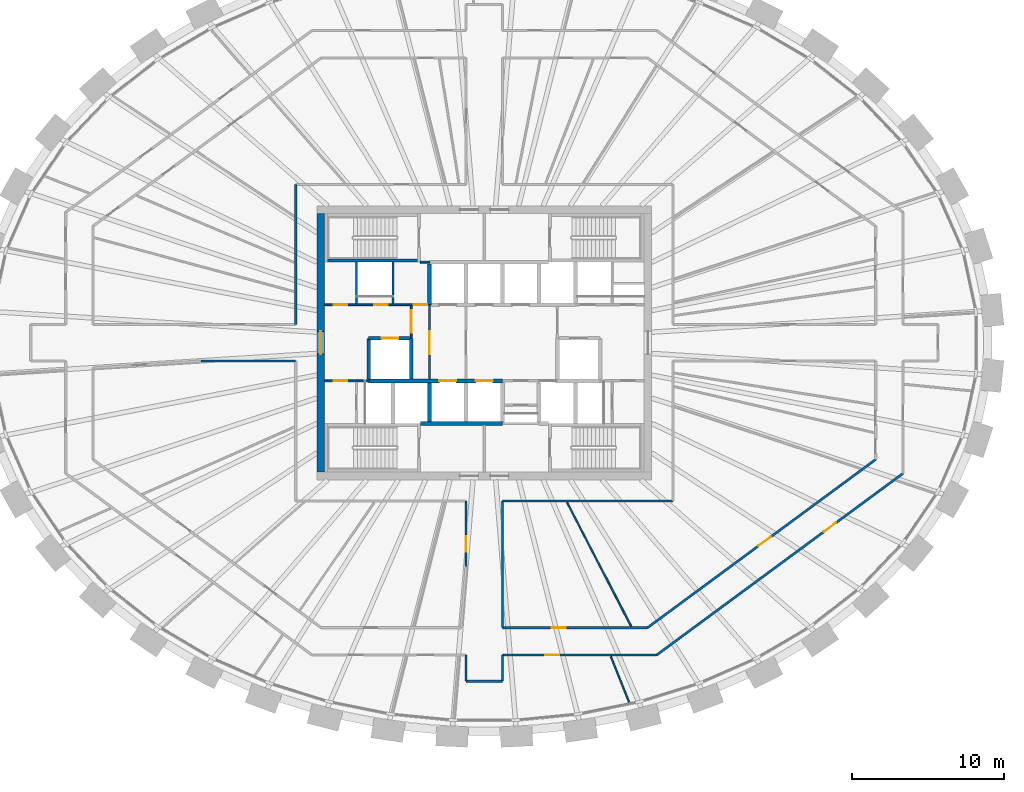
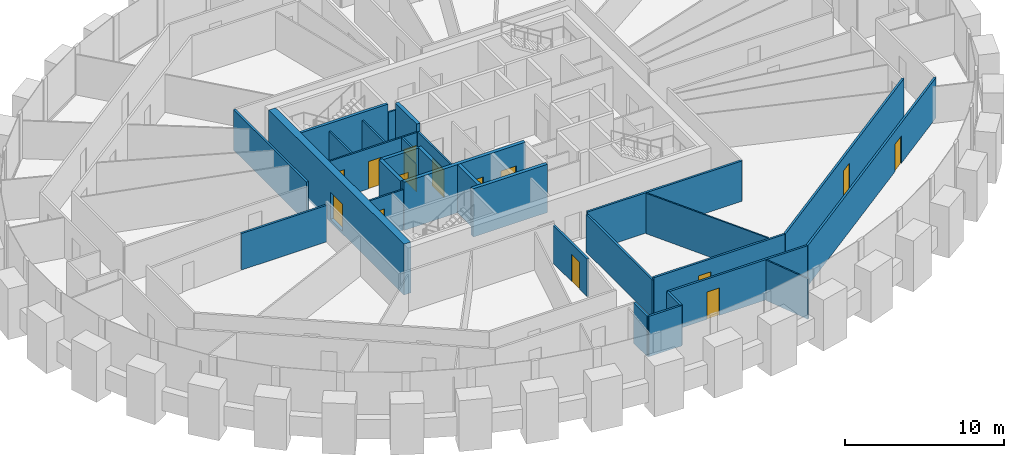
# One storey, part 7 of 12: 30 walls, 15 doors, 15 openings.
"""IFC4 building model written with IfcOpenShell, lengths in metres."""

from ifc_helpers import new_model, si_unit, direction, frame, frame_2d, origin, place, context, subcontext, project, spatial, rectangle, extrude, source, transform, mapped, material, layer, layer_set, type_object, element, fill, save


model = new_model("IFC4")

# Units and contexts
model_context = context("Model", 3, precision=1e-05, world=origin(), true_north=direction((0.0, 1.0)))
body_context = subcontext(model_context, "Body", "Model", "MODEL_VIEW")
ifc_project = project(units=[si_unit("LENGTHUNIT", "METRE"), si_unit("AREAUNIT", "SQUARE_METRE"), si_unit("VOLUMEUNIT", "CUBIC_METRE"), si_unit("PLANEANGLEUNIT", "RADIAN"), si_unit("MASSUNIT", "GRAM", prefix="KILO")], contexts=[model_context])

# Site, building, storey
site_placement = place(None, origin())
site = spatial("IfcSite", under=ifc_project, at=site_placement, CompositionType="ELEMENT")
building_placement = place(site_placement, origin())
building = spatial("IfcBuilding", under=site, at=building_placement, Name="Embergate Tower", CompositionType="ELEMENT")
storey_placement = place(building_placement, frame((0.0, 0.0, 250.0)))
storey = spatial("IfcBuildingStorey", under=building, at=storey_placement, Name="L57", CompositionType="ELEMENT", Elevation=250.0)

# Wall, opening, door
ifc_material_1 = material(Name="Concrete C50", Category="concrete")
ifc_layer_1 = layer(ifc_material_1, 0.5)
ifc_layer_set_1 = layer_set([ifc_layer_1], Name="Concrete C50")
wall_type_1 = type_object("IfcWallType", Name="Core outer wall C50 500", PredefinedType="SHEAR", material=ifc_layer_set_1)
shared_shape_1 = source(origin(), body_context, "Body", "SweptSolid", [
    extrude(rectangle(XDim=17.0, YDim=0.5, at=frame_2d((8.5, 0.0))), origin(), (0.0, 0.0, 1.0), 3.89990234375),
])
wall_1_placement = place(storey_placement, frame((-10.75, -8.5, -0.199951171875), z_axis=(0.0, 0.0, 1.0), x_axis=(0.0, 1.0, 0.0)))
wall_1 = element("IfcWall", 1, at=wall_1_placement, inside=storey, type_object=wall_type_1, Name="CW-L57-W", PredefinedType="SHEAR", context=body_context, shape_type="MappedRepresentation", body=[
    mapped(shared_shape_1, transform((0.0, 0.0, 0.0))),
])
shared_shape_2 = source(origin(), body_context, "Body", "SweptSolid", [
    extrude(rectangle(XDim=1.5, YDim=2.10009765625, at=frame_2d((0.75, 1.050048828125))), frame((0.0, 0.260009765625, 0.0), z_axis=(0.0, -1.0, 0.0), x_axis=(1.0, 0.0, 0.0)), (0.0, 0.0, 1.0), 0.52001953125),
])
opening_1_placement = place(wall_1_placement, frame((7.75, 0.0, 0.199951171875)))
opening_1 = element("IfcOpeningElement", 2, at=opening_1_placement, cuts=wall_1, Name="Opening IF-3", PredefinedType="OPENING", context=body_context, shape_type="MappedRepresentation", body=[
    mapped(shared_shape_2, transform((0.0, 0.0, 0.0))),
])
ifc_material_2 = material(Name="Lobby fire door pair 1500")
door_type_1 = type_object("IfcDoorType", Name="Lobby fire door pair 1500", OperationType="DOUBLE_DOOR_SINGLE_SWING", PredefinedType="DOOR", material=ifc_material_2)
shared_shape_3 = source(origin(), body_context, "Body", "SweptSolid", [
    extrude(rectangle(XDim=1.5, YDim=2.10009765625, at=frame_2d((0.75, 1.050048828125))), frame((0.0, 0.02490234375, 0.0), z_axis=(0.0, -1.0, 0.0), x_axis=(1.0, 0.0, 0.0)), (0.0, 0.0, 1.0), 0.050048828125),
])
door_1_placement = place(opening_1_placement, origin())
door_1 = element("IfcDoor", 3, at=door_1_placement, inside=storey, type_object=door_type_1, Name="IF-3 door", OperationType="DOUBLE_DOOR_SINGLE_SWING", OverallHeight=2.10009765625, OverallWidth=1.5, PredefinedType="DOOR", context=body_context, shape_type="MappedRepresentation", body=[
    mapped(shared_shape_3, transform((0.0, 0.0, 0.0))),
])
fill(opening_1, door_1)

# Walls
ifc_layer_2 = layer(ifc_material_1, 0.25)
ifc_layer_set_2 = layer_set([ifc_layer_2], Name="Concrete C50")
wall_type_2 = type_object("IfcWallType", Name="Hoistway wall reinforced concrete 250", PredefinedType="SHEAR", material=ifc_layer_set_2)
shared_shape_4 = source(origin(), body_context, "Body", "SweptSolid", [
    extrude(rectangle(XDim=2.675048828125, YDim=0.25, at=frame_2d((1.33740234375, 0.0))), origin(), (0.0, 0.0, 1.0), 3.699951171875),
])
for number, where, z_axis, x_axis, name in (
    (4, (-3.60009765625, 5.175048828125, 0.0), (0.0, 0.0, 1.0), (0.0, -1.0, 0.0), "HW-1 wall"),
    (5, (-4.800048828125, 0.300048828125, 0.0), (0.0, 0.0, 1.0), (0.0, -1.0, 0.0), "HW-1 wall"),
):
    element("IfcWall", number, at=place(storey_placement, frame(where, z_axis=z_axis, x_axis=x_axis)), inside=storey, type_object=wall_type_2, Name=name, PredefinedType="SHEAR", context=body_context, shape_type="MappedRepresentation", body=[
        mapped(shared_shape_4, transform((0.0, 0.0, 0.0))),
    ])

# Wall, opening, door
wall_2_placement = place(storey_placement, frame((-4.925048828125, 0.300048828125, 0.0), z_axis=(0.0, 0.0, 1.0), x_axis=(-1.0, 0.0, 0.0)))
wall_2 = element("IfcWall", 6, at=wall_2_placement, inside=storey, type_object=wall_type_2, Name="HW-1 wall", PredefinedType="SHEAR", context=body_context, shape_type="MappedRepresentation", body=[
    mapped(shared_shape_4, transform((0.0, 0.0, 0.0))),
])
shared_shape_5 = source(origin(), body_context, "Body", "SweptSolid", [
    extrude(rectangle(XDim=1.10009765625, YDim=2.10009765625, at=frame_2d((0.550048828125, 1.050048828125))), frame((0.0, 0.135009765625, 0.0), z_axis=(0.0, -1.0, 0.0), x_axis=(1.0, 0.0, 0.0)), (0.0, 0.0, 1.0), 0.27001953125),
])
opening_2_placement = place(wall_2_placement, frame((0.72509765625, 0.0, 0.0)))
opening_2 = element("IfcOpeningElement", 7, at=opening_2_placement, cuts=wall_2, Name="Opening LD", PredefinedType="OPENING", context=body_context, shape_type="MappedRepresentation", body=[
    mapped(shared_shape_5, transform((0.0, 0.0, 0.0))),
])
ifc_material_3 = material(Name="Landing door sliding 1100")
door_type_2 = type_object("IfcDoorType", Name="Landing door sliding 1100", OperationType="SLIDING_TO_LEFT", PredefinedType="DOOR", material=ifc_material_3)
shared_shape_6 = source(origin(), body_context, "Body", "SweptSolid", [
    extrude(rectangle(XDim=1.10009765625, YDim=2.10009765625, at=frame_2d((0.550048828125, 1.050048828125))), frame((0.0, 0.02490234375, 0.0), z_axis=(0.0, -1.0, 0.0), x_axis=(1.0, 0.0, 0.0)), (0.0, 0.0, 1.0), 0.050048828125),
])
door_2_placement = place(opening_2_placement, origin())
door_2 = element("IfcDoor", 8, at=door_2_placement, inside=storey, type_object=door_type_2, Name="LD door", OperationType="SLIDING_TO_RIGHT", OverallHeight=2.10009765625, OverallWidth=1.10009765625, PredefinedType="DOOR", context=body_context, shape_type="MappedRepresentation", body=[
    mapped(shared_shape_6, transform((0.0, 0.0, 0.0))),
])
fill(opening_2, door_2)

# Walls
wall_3_placement = place(storey_placement, frame((-7.60009765625, 0.300048828125, 0.0), z_axis=(0.0, 0.0, 1.0), x_axis=(0.0, -1.0, 0.0)))
element("IfcWall", 9, at=wall_3_placement, inside=storey, type_object=wall_type_2, Name="HW-1 wall", PredefinedType="SHEAR", context=body_context, shape_type="MappedRepresentation", body=[
    mapped(shared_shape_4, transform((0.0, 0.0, 0.0))),
])
ifc_layer_3 = layer(ifc_material_1, 0.199951171875)
ifc_layer_set_3 = layer_set([ifc_layer_3], Name="Concrete C50")
wall_type_3 = type_object("IfcWallType", Name="Stair enclosure wall reinforced concrete 250", PredefinedType="SHEAR", material=ifc_layer_set_3)
shared_shape_7 = source(origin(), body_context, "Body", "SweptSolid", [
    extrude(rectangle(XDim=6.300048828125, YDim=0.199951171875, at=frame_2d((3.14990234375, 0.0))), origin(), (0.0, 0.0, 1.0), 3.699951171875),
])
wall_4_placement = place(storey_placement, frame((-4.199951171875, 5.39990234375, 0.0), z_axis=(0.0, 0.0, 1.0), x_axis=(-1.0, 0.0, 0.0)))
element("IfcWall", 10, at=wall_4_placement, inside=storey, type_object=wall_type_3, Name="SE-1 wall", PredefinedType="SHEAR", context=body_context, shape_type="MappedRepresentation", body=[
    mapped(shared_shape_7, transform((0.0, 0.0, 0.0))),
])
ifc_material_4 = material(Name="Core partition blockwork 120")
ifc_layer_4 = layer(ifc_material_4, 0.1201171875)
ifc_layer_set_4 = layer_set([ifc_layer_4], Name="Core partition blockwork 120")
wall_type_4 = type_object("IfcWallType", Name="Core partition blockwork 120", PredefinedType="PARTITIONING", material=ifc_layer_set_4)
shared_shape_8 = source(origin(), body_context, "Body", "SweptSolid", [
    extrude(rectangle(XDim=2.739990234375, YDim=0.1201171875, at=frame_2d((1.3701171875, 0.0))), origin(), (0.0, 0.0, 1.0), 3.10009765625),
])
for number, where, z_axis, x_axis, name in (
    (11, (-6.0, 2.56005859375, 0.0), (0.0, 0.0, 1.0), (0.0, 1.0, 0.0), "IP-3 wall"),
    (12, (-8.39990234375, 5.300048828125, 0.0), (0.0, 0.0, 1.0), (0.0, -1.0, 0.0), "IP-3 wall"),
):
    element("IfcWall", number, at=place(storey_placement, frame(where, z_axis=z_axis, x_axis=x_axis)), inside=storey, type_object=wall_type_4, Name=name, PredefinedType="PARTITIONING", context=body_context, shape_type="MappedRepresentation", body=[
        mapped(shared_shape_8, transform((0.0, 0.0, 0.0))),
    ])
shared_shape_9 = source(origin(), body_context, "Body", "SweptSolid", [
    extrude(rectangle(XDim=2.550048828125, YDim=0.25, at=frame_2d((1.27490234375, 0.0))), origin(), (0.0, 0.0, 1.0), 3.699951171875),
])
wall_5_placement = place(storey_placement, frame((-3.60009765625, -5.175048828125, 0.0), z_axis=(0.0, 0.0, 1.0), x_axis=(0.0, 1.0, 0.0)))
element("IfcWall", 13, at=wall_5_placement, inside=storey, type_object=wall_type_2, Name="HW-1 wall", PredefinedType="SHEAR", context=body_context, shape_type="MappedRepresentation", body=[
    mapped(shared_shape_9, transform((0.0, 0.0, 0.0))),
])

# Wall, opening, door
ifc_material_5 = material(Name="Corridor wall dry-lined 150")
ifc_layer_5 = layer(ifc_material_5, 0.14990234375)
ifc_layer_set_5 = layer_set([ifc_layer_5], Name="Corridor wall dry-lined 150")
wall_type_5 = type_object("IfcWallType", Name="Corridor wall dry-lined 150", PredefinedType="PARTITIONING", material=ifc_layer_set_5)
shared_shape_10 = source(origin(), body_context, "Body", "SweptSolid", [
    extrude(rectangle(XDim=4.28515625, YDim=0.14990234375, at=frame_2d((2.142578125, 0.0))), origin(), (0.0, 0.0, 1.0), 2.89990234375),
])
wall_6_placement = place(storey_placement, frame((-1.199951171875, -10.39990234375, 0.0), z_axis=(0.0, 0.0, 1.0), x_axis=(0.0, -1.0, 0.0)))
wall_6 = element("IfcWall", 14, at=wall_6_placement, inside=storey, type_object=wall_type_5, Name="IP-2 wall", PredefinedType="PARTITIONING", context=body_context, shape_type="MappedRepresentation", body=[
    mapped(shared_shape_10, transform((0.0, 0.0, 0.0))),
])
shared_shape_11 = source(origin(), body_context, "Body", "SweptSolid", [
    extrude(rectangle(XDim=1.0, YDim=2.10009765625, at=frame_2d((0.5, 1.050048828125))), frame((0.0, 0.0849609375, 0.0), z_axis=(0.0, -1.0, 0.0), x_axis=(1.0, 0.0, 0.0)), (0.0, 0.0, 1.0), 0.169921875),
])
opening_3_placement = place(wall_6_placement, frame((2.320068359375, 0.0, 0.0)))
opening_3 = element("IfcOpeningElement", 15, at=opening_3_placement, cuts=wall_6, Name="Opening ID-2", PredefinedType="OPENING", context=body_context, shape_type="MappedRepresentation", body=[
    mapped(shared_shape_11, transform((0.0, 0.0, 0.0))),
])
ifc_material_6 = material(Name="Interior door 1000")
door_type_3 = type_object("IfcDoorType", Name="Interior door 1000", OperationType="SINGLE_SWING_LEFT", PredefinedType="DOOR", material=ifc_material_6)
shared_shape_12 = source(origin(), body_context, "Body", "SweptSolid", [
    extrude(rectangle(XDim=1.0, YDim=2.10009765625, at=frame_2d((0.5, 1.050048828125))), frame((0.0, 0.02490234375, 0.0), z_axis=(0.0, -1.0, 0.0), x_axis=(1.0, 0.0, 0.0)), (0.0, 0.0, 1.0), 0.050048828125),
])
door_3_placement = place(opening_3_placement, origin())
door_3 = element("IfcDoor", 16, at=door_3_placement, inside=storey, type_object=door_type_3, Name="ID-2 door", OperationType="SINGLE_SWING_LEFT", OverallHeight=2.10009765625, OverallWidth=1.0, PredefinedType="DOOR", context=body_context, shape_type="MappedRepresentation", body=[
    mapped(shared_shape_12, transform((0.0, 0.0, 0.0))),
])
fill(opening_3, door_3)

# Wall
shared_shape_13 = source(origin(), body_context, "Body", "SweptSolid", [
    extrude(rectangle(XDim=8.318115234375, YDim=0.14990234375, at=frame_2d((4.1591796875, 0.0))), origin(), (0.0, 0.0, 1.0), 2.89990234375),
])
wall_7_placement = place(storey_placement, frame((1.199951171875, -10.39990234375, 0.0), z_axis=(0.0, 0.0, 1.0), x_axis=(0.0, -1.0, 0.0)))
element("IfcWall", 17, at=wall_7_placement, inside=storey, type_object=wall_type_5, Name="IP-2 wall", PredefinedType="PARTITIONING", context=body_context, shape_type="MappedRepresentation", body=[
    mapped(shared_shape_13, transform((0.0, 0.0, 0.0))),
])

# Wall, openings, doors
shared_shape_14 = source(origin(), body_context, "Body", "SweptSolid", [
    extrude(rectangle(XDim=8.800048828125, YDim=0.25, at=frame_2d((4.39990234375, 0.0))), origin(), (0.0, 0.0, 1.0), 3.699951171875),
])
wall_8_placement = place(storey_placement, frame((1.199951171875, -2.5, 0.0), z_axis=(0.0, 0.0, 1.0), x_axis=(-1.0, 0.0, 0.0)))
wall_8 = element("IfcWall", 18, at=wall_8_placement, inside=storey, type_object=wall_type_2, Name="HW-1 wall", PredefinedType="SHEAR", context=body_context, shape_type="MappedRepresentation", body=[
    mapped(shared_shape_14, transform((0.0, 0.0, 0.0))),
])
opening_4_placement = place(wall_8_placement, frame((3.050048828125, 0.0, 0.0)))
opening_4 = element("IfcOpeningElement", 19, at=opening_4_placement, cuts=wall_8, Name="Opening LD", PredefinedType="OPENING", context=body_context, shape_type="MappedRepresentation", body=[
    mapped(shared_shape_5, transform((0.0, 0.0, 0.0))),
])
opening_5_placement = place(wall_8_placement, frame((0.64990234375, 0.0, 0.0)))
opening_5 = element("IfcOpeningElement", 20, at=opening_5_placement, cuts=wall_8, Name="Opening LD", PredefinedType="OPENING", context=body_context, shape_type="MappedRepresentation", body=[
    mapped(shared_shape_5, transform((0.0, 0.0, 0.0))),
])
door_4_placement = place(opening_4_placement, origin())
door_4 = element("IfcDoor", 21, at=door_4_placement, inside=storey, type_object=door_type_2, Name="LD door", OperationType="SLIDING_TO_LEFT", OverallHeight=2.10009765625, OverallWidth=1.10009765625, PredefinedType="DOOR", context=body_context, shape_type="MappedRepresentation", body=[
    mapped(shared_shape_6, transform((0.0, 0.0, 0.0))),
])
fill(opening_4, door_4)
door_5_placement = place(opening_5_placement, origin())
door_5 = element("IfcDoor", 22, at=door_5_placement, inside=storey, type_object=door_type_2, Name="LD door", OperationType="SLIDING_TO_RIGHT", OverallHeight=2.10009765625, OverallWidth=1.10009765625, PredefinedType="DOOR", context=body_context, shape_type="MappedRepresentation", body=[
    mapped(shared_shape_6, transform((0.0, 0.0, 0.0))),
])
fill(opening_5, door_5)

# Wall
shared_shape_15 = source(origin(), body_context, "Body", "SweptSolid", [
    extrude(rectangle(XDim=5.39990234375, YDim=0.25, at=frame_2d((2.699951171875, 0.0))), origin(), (0.0, 0.0, 1.0), 3.699951171875),
])
wall_9_placement = place(storey_placement, frame((-4.199951171875, -5.300048828125, 0.0), z_axis=(0.0, 0.0, 1.0), x_axis=(1.0, 0.0, 0.0)))
element("IfcWall", 23, at=wall_9_placement, inside=storey, type_object=wall_type_2, Name="HW-1 wall", PredefinedType="SHEAR", context=body_context, shape_type="MappedRepresentation", body=[
    mapped(shared_shape_15, transform((0.0, 0.0, 0.0))),
])

# Wall, opening, door
shared_shape_16 = source(origin(), body_context, "Body", "SweptSolid", [
    extrude(rectangle(XDim=20.116455078125, YDim=0.14990234375, at=frame_2d((10.05810546875, 0.0))), origin(), (0.0, 0.0, 1.0), 3.10009765625),
])
wall_10_placement = place(storey_placement, frame((11.319091796875, -20.51806640625, 0.0), z_axis=(0.0, 0.0, 1.0), x_axis=(0.804910001979, 0.593396906559, 0.0)))
wall_10 = element("IfcWall", 24, at=wall_10_placement, inside=storey, type_object=wall_type_5, Name="IP-2 wall", PredefinedType="PARTITIONING", context=body_context, shape_type="MappedRepresentation", body=[
    mapped(shared_shape_16, transform((0.0, 0.0, 0.0))),
])
opening_6_placement = place(wall_10_placement, frame((13.658447265625, 0.0, 0.0)))
opening_6 = element("IfcOpeningElement", 25, at=opening_6_placement, cuts=wall_10, Name="Opening ID-2", PredefinedType="OPENING", context=body_context, shape_type="MappedRepresentation", body=[
    mapped(shared_shape_11, transform((0.0, 0.0, 0.0))),
])
door_6_placement = place(opening_6_placement, origin())
door_6 = element("IfcDoor", 26, at=door_6_placement, inside=storey, type_object=door_type_3, Name="ID-2 door", OperationType="SINGLE_SWING_LEFT", OverallHeight=2.10009765625, OverallWidth=1.0, PredefinedType="DOOR", context=body_context, shape_type="MappedRepresentation", body=[
    mapped(shared_shape_12, transform((0.0, 0.0, 0.0))),
])
fill(opening_6, door_6)

shared_shape_17 = source(origin(), body_context, "Body", "SweptSolid", [
    extrude(rectangle(XDim=18.615966796875, YDim=0.14990234375, at=frame_2d((9.30810546875, 0.0))), origin(), (0.0, 0.0, 1.0), 3.10009765625),
])
wall_11_placement = place(storey_placement, frame((10.72705078125, -18.718017578125, 0.0), z_axis=(0.0, 0.0, 1.0), x_axis=(0.804892640185, 0.593420456149, 0.0)))
wall_11 = element("IfcWall", 27, at=wall_11_placement, inside=storey, type_object=wall_type_5, Name="IP-2 wall", PredefinedType="PARTITIONING", context=body_context, shape_type="MappedRepresentation", body=[
    mapped(shared_shape_17, transform((0.0, 0.0, 0.0))),
])
opening_7_placement = place(wall_11_placement, frame((9.0712890625, 0.0, 0.0)))
opening_7 = element("IfcOpeningElement", 28, at=opening_7_placement, cuts=wall_11, Name="Opening ID-2", PredefinedType="OPENING", context=body_context, shape_type="MappedRepresentation", body=[
    mapped(shared_shape_11, transform((0.0, 0.0, 0.0))),
])
door_7_placement = place(opening_7_placement, origin())
door_7 = element("IfcDoor", 29, at=door_7_placement, inside=storey, type_object=door_type_3, Name="ID-2 door", OperationType="SINGLE_SWING_RIGHT", OverallHeight=2.10009765625, OverallWidth=1.0, PredefinedType="DOOR", context=body_context, shape_type="MappedRepresentation", body=[
    mapped(shared_shape_12, transform((0.0, 0.0, 0.0))),
])
fill(opening_7, door_7)

# Walls
shared_shape_18 = source(origin(), body_context, "Body", "SweptSolid", [
    extrude(rectangle(XDim=6.22998046875, YDim=0.14990234375, at=frame_2d((3.114990234375, 0.0))), origin(), (0.0, 0.0, 1.0), 2.800048828125),
])
wall_12_placement = place(storey_placement, frame((-18.6298828125, -1.199951171875, 0.0), z_axis=(0.0, 0.0, 1.0), x_axis=(1.0, 0.0, 0.0)))
element("IfcWall", 30, at=wall_12_placement, inside=storey, type_object=wall_type_5, Name="IP-2 wall", PredefinedType="PARTITIONING", context=body_context, shape_type="MappedRepresentation", body=[
    mapped(shared_shape_18, transform((0.0, 0.0, 0.0))),
])
shared_shape_19 = source(origin(), body_context, "Body", "SweptSolid", [
    extrude(rectangle(XDim=9.199951171875, YDim=0.14990234375, at=frame_2d((4.60009765625, 0.0))), origin(), (0.0, 0.0, 1.0), 3.10009765625),
])
wall_13_placement = place(storey_placement, frame((-12.39990234375, 10.39990234375, 0.0), z_axis=(0.0, 0.0, 1.0), x_axis=(0.0, -1.0, 0.0)))
element("IfcWall", 31, at=wall_13_placement, inside=storey, type_object=wall_type_5, Name="IP-2 wall", PredefinedType="PARTITIONING", context=body_context, shape_type="MappedRepresentation", body=[
    mapped(shared_shape_19, transform((0.0, 0.0, 0.0))),
])
shared_shape_20 = source(origin(), body_context, "Body", "SweptSolid", [
    extrude(rectangle(XDim=11.199951171875, YDim=0.14990234375, at=frame_2d((5.60009765625, 0.0))), origin(), (0.0, 0.0, 1.0), 3.10009765625),
])
wall_14_placement = place(storey_placement, frame((12.39990234375, -10.39990234375, 0.0), z_axis=(0.0, 0.0, 1.0), x_axis=(-1.0, 0.0, 0.0)))
element("IfcWall", 32, at=wall_14_placement, inside=storey, type_object=wall_type_5, Name="IP-2 wall", PredefinedType="PARTITIONING", context=body_context, shape_type="MappedRepresentation", body=[
    mapped(shared_shape_20, transform((0.0, 0.0, 0.0))),
])

# Wall, opening, door
shared_shape_21 = source(origin(), body_context, "Body", "SweptSolid", [
    extrude(rectangle(XDim=10.119140625, YDim=0.14990234375, at=frame_2d((5.0595703125, 0.0))), origin(), (0.0, 0.0, 1.0), 3.10009765625),
])
wall_15_placement = place(storey_placement, frame((11.319091796875, -20.51806640625, 0.0), z_axis=(0.0, 0.0, 1.0), x_axis=(-1.0, 0.0, 0.0)))
wall_15 = element("IfcWall", 33, at=wall_15_placement, inside=storey, type_object=wall_type_5, Name="IP-2 wall", PredefinedType="PARTITIONING", context=body_context, shape_type="MappedRepresentation", body=[
    mapped(shared_shape_21, transform((0.0, 0.0, 0.0))),
])
shared_shape_22 = source(origin(), body_context, "Body", "SweptSolid", [
    extrude(rectangle(XDim=0.89990234375, YDim=2.10009765625, at=frame_2d((0.449951171875, 1.050048828125))), frame((0.0, 0.0849609375, 0.0), z_axis=(0.0, -1.0, 0.0), x_axis=(1.0, 0.0, 0.0)), (0.0, 0.0, 1.0), 0.169921875),
])
opening_8_placement = place(wall_15_placement, frame((6.41064453125, 0.0, 0.0)))
opening_8 = element("IfcOpeningElement", 34, at=opening_8_placement, cuts=wall_15, Name="Opening IF-1c", PredefinedType="OPENING", context=body_context, shape_type="MappedRepresentation", body=[
    mapped(shared_shape_22, transform((0.0, 0.0, 0.0))),
])
ifc_material_7 = material(Name="Escape fire door 900")
door_type_4 = type_object("IfcDoorType", Name="Escape fire door 900", OperationType="SINGLE_SWING_LEFT", PredefinedType="DOOR", material=ifc_material_7)
shared_shape_23 = source(origin(), body_context, "Body", "SweptSolid", [
    extrude(rectangle(XDim=0.89990234375, YDim=2.10009765625, at=frame_2d((0.449951171875, 1.050048828125))), frame((0.0, 0.02490234375, 0.0), z_axis=(0.0, -1.0, 0.0), x_axis=(1.0, 0.0, 0.0)), (0.0, 0.0, 1.0), 0.050048828125),
])
door_8_placement = place(opening_8_placement, origin())
door_8 = element("IfcDoor", 35, at=door_8_placement, inside=storey, type_object=door_type_4, Name="IF-1 door", OperationType="SINGLE_SWING_LEFT", OverallHeight=2.10009765625, OverallWidth=0.89990234375, PredefinedType="DOOR", context=body_context, shape_type="MappedRepresentation", body=[
    mapped(shared_shape_23, transform((0.0, 0.0, 0.0))),
])
fill(opening_8, door_8)

# Walls
shared_shape_24 = source(origin(), body_context, "Body", "SweptSolid", [
    extrude(rectangle(XDim=1.7158203125, YDim=0.14990234375, at=frame_2d((0.85791015625, 0.0))), origin(), (0.0, 0.0, 1.0), 3.10009765625),
])
for number, where, z_axis, x_axis, name in (
    (36, (1.199951171875, -20.51806640625, 0.0), (0.0, 0.0, 1.0), (0.0, -1.0, 0.0), "IP-2 wall"),
    (37, (-1.199951171875, -22.23388671875, 0.0), (0.0, 0.0, 1.0), (0.0, 1.0, 0.0), "IP-2 wall"),
):
    element("IfcWall", number, at=place(storey_placement, frame(where, z_axis=z_axis, x_axis=x_axis)), inside=storey, type_object=wall_type_5, Name=name, PredefinedType="PARTITIONING", context=body_context, shape_type="MappedRepresentation", body=[
        mapped(shared_shape_24, transform((0.0, 0.0, 0.0))),
    ])
shared_shape_25 = source(origin(), body_context, "Body", "SweptSolid", [
    extrude(rectangle(XDim=2.39990234375, YDim=0.14990234375, at=frame_2d((1.199951171875, 0.0))), origin(), (0.0, 0.0, 1.0), 3.10009765625),
])
wall_16_placement = place(storey_placement, frame((1.199951171875, -22.23388671875, 0.0), z_axis=(0.0, 0.0, 1.0), x_axis=(-1.0, 0.0, 0.0)))
element("IfcWall", 38, at=wall_16_placement, inside=storey, type_object=wall_type_5, Name="IP-2 wall", PredefinedType="PARTITIONING", context=body_context, shape_type="MappedRepresentation", body=[
    mapped(shared_shape_25, transform((0.0, 0.0, 0.0))),
])

# Wall, opening, door
shared_shape_26 = source(origin(), body_context, "Body", "SweptSolid", [
    extrude(rectangle(XDim=9.527099609375, YDim=0.14990234375, at=frame_2d((4.763671875, 0.0))), origin(), (0.0, 0.0, 1.0), 3.10009765625),
])
wall_17_placement = place(storey_placement, frame((1.199951171875, -18.718017578125, 0.0), z_axis=(0.0, 0.0, 1.0), x_axis=(1.0, 0.0, 0.0)))
wall_17 = element("IfcWall", 39, at=wall_17_placement, inside=storey, type_object=wall_type_5, Name="IP-2 wall", PredefinedType="PARTITIONING", context=body_context, shape_type="MappedRepresentation", body=[
    mapped(shared_shape_26, transform((0.0, 0.0, 0.0))),
])
opening_9_placement = place(wall_17_placement, frame((3.238037109375, 0.0, 0.0)))
opening_9 = element("IfcOpeningElement", 40, at=opening_9_placement, cuts=wall_17, Name="Opening IF-1c", PredefinedType="OPENING", context=body_context, shape_type="MappedRepresentation", body=[
    mapped(shared_shape_22, transform((0.0, 0.0, 0.0))),
])
door_9_placement = place(opening_9_placement, origin())
door_9 = element("IfcDoor", 41, at=door_9_placement, inside=storey, type_object=door_type_4, Name="IF-1 door", OperationType="SINGLE_SWING_LEFT", OverallHeight=2.10009765625, OverallWidth=0.89990234375, PredefinedType="DOOR", context=body_context, shape_type="MappedRepresentation", body=[
    mapped(shared_shape_23, transform((0.0, 0.0, 0.0))),
])
fill(opening_9, door_9)

# Walls
ifc_material_8 = material(Name="Partition dry-lined 100")
ifc_layer_6 = layer(ifc_material_8, 0.10009765625)
ifc_layer_set_6 = layer_set([ifc_layer_6], Name="Partition dry-lined 100")
wall_type_6 = type_object("IfcWallType", Name="Partition dry-lined 100", PredefinedType="PARTITIONING", material=ifc_layer_set_6)
shared_shape_27 = source(origin(), body_context, "Body", "SweptSolid", [
    extrude(rectangle(XDim=3.35302734375, YDim=0.10009765625, at=frame_2d((1.676513671875, 0.0))), origin(), (0.0, 0.0, 1.0), 3.10009765625),
])
wall_18_placement = place(storey_placement, frame((8.31005859375, -20.611083984375, 0.0), z_axis=(0.0, 0.0, 1.0), x_axis=(0.373950153388, -0.927448803321, 0.0)))
element("IfcWall", 42, at=wall_18_placement, inside=storey, type_object=wall_type_6, Name="IP-1 wall", PredefinedType="PARTITIONING", context=body_context, shape_type="MappedRepresentation", body=[
    mapped(shared_shape_27, transform((0.0, 0.0, 0.0))),
])
shared_shape_28 = source(origin(), body_context, "Body", "SweptSolid", [
    extrude(rectangle(XDim=9.14697265625, YDim=0.10009765625, at=frame_2d((4.573486328125, 0.0))), origin(), (0.0, 0.0, 1.0), 3.10009765625),
])
wall_19_placement = place(storey_placement, frame((5.43798828125, -10.498046875, 0.0), z_axis=(0.0, 0.0, 1.0), x_axis=(0.459936928951, -0.887951587299, 0.0)))
element("IfcWall", 43, at=wall_19_placement, inside=storey, type_object=wall_type_6, Name="IP-1 wall", PredefinedType="PARTITIONING", context=body_context, shape_type="MappedRepresentation", body=[
    mapped(shared_shape_28, transform((0.0, 0.0, 0.0))),
])

# Wall, openings, doors
shared_shape_29 = source(origin(), body_context, "Body", "SweptSolid", [
    extrude(rectangle(XDim=6.77490234375, YDim=0.1201171875, at=frame_2d((3.387451171875, 0.0))), origin(), (0.0, 0.0, 1.0), 3.10009765625),
])
wall_20_placement = place(storey_placement, frame((-10.5, 2.5, 0.0), z_axis=(0.0, 0.0, 1.0), x_axis=(1.0, 0.0, 0.0)))
wall_20 = element("IfcWall", 44, at=wall_20_placement, inside=storey, type_object=wall_type_4, Name="IP-3 wall", PredefinedType="PARTITIONING", context=body_context, shape_type="MappedRepresentation", body=[
    mapped(shared_shape_29, transform((0.0, 0.0, 0.0))),
])
shared_shape_30 = source(origin(), body_context, "Body", "SweptSolid", [
    extrude(rectangle(XDim=0.89990234375, YDim=2.10009765625, at=frame_2d((0.449951171875, 1.050048828125))), frame((0.0, 0.070068359375, 0.0), z_axis=(0.0, -1.0, 0.0), x_axis=(1.0, 0.0, 0.0)), (0.0, 0.0, 1.0), 0.14013671875),
])
opening_10_placement = place(wall_20_placement, frame((3.25, 0.0, 0.0)))
opening_10 = element("IfcOpeningElement", 45, at=opening_10_placement, cuts=wall_20, Name="Opening ID-1", PredefinedType="OPENING", context=body_context, shape_type="MappedRepresentation", body=[
    mapped(shared_shape_30, transform((0.0, 0.0, 0.0))),
])
opening_11_placement = place(wall_20_placement, frame((5.85009765625, 0.0, 0.0)))
opening_11 = element("IfcOpeningElement", 46, at=opening_11_placement, cuts=wall_20, Name="Opening ID-1", PredefinedType="OPENING", context=body_context, shape_type="MappedRepresentation", body=[
    mapped(shared_shape_30, transform((0.0, 0.0, 0.0))),
])
opening_12_placement = place(wall_20_placement, frame((0.60009765625, 0.0, 0.0)))
opening_12 = element("IfcOpeningElement", 47, at=opening_12_placement, cuts=wall_20, Name="Opening ID-1", PredefinedType="OPENING", context=body_context, shape_type="MappedRepresentation", body=[
    mapped(shared_shape_30, transform((0.0, 0.0, 0.0))),
])
ifc_material_9 = material(Name="Interior door 900")
door_type_5 = type_object("IfcDoorType", Name="Interior door 900", OperationType="SINGLE_SWING_LEFT", PredefinedType="DOOR", material=ifc_material_9)
door_10_placement = place(opening_10_placement, origin())
door_10 = element("IfcDoor", 48, at=door_10_placement, inside=storey, type_object=door_type_5, Name="ID-1 door", OperationType="SINGLE_SWING_LEFT", OverallHeight=2.10009765625, OverallWidth=0.89990234375, PredefinedType="DOOR", context=body_context, shape_type="MappedRepresentation", body=[
    mapped(shared_shape_23, transform((0.0, 0.0, 0.0))),
])
fill(opening_10, door_10)
door_11_placement = place(opening_11_placement, origin())
door_11 = element("IfcDoor", 49, at=door_11_placement, inside=storey, type_object=door_type_5, Name="ID-1 door", OperationType="SINGLE_SWING_RIGHT", OverallHeight=2.10009765625, OverallWidth=0.89990234375, PredefinedType="DOOR", context=body_context, shape_type="MappedRepresentation", body=[
    mapped(shared_shape_23, transform((0.0, 0.0, 0.0))),
])
fill(opening_11, door_11)
door_12_placement = place(opening_12_placement, origin())
door_12 = element("IfcDoor", 50, at=door_12_placement, inside=storey, type_object=door_type_5, Name="ID-1 door", OperationType="SINGLE_SWING_RIGHT", OverallHeight=2.10009765625, OverallWidth=0.89990234375, PredefinedType="DOOR", context=body_context, shape_type="MappedRepresentation", body=[
    mapped(shared_shape_23, transform((0.0, 0.0, 0.0))),
])
fill(opening_12, door_12)

# Wall, opening, door
shared_shape_31 = source(origin(), body_context, "Body", "SweptSolid", [
    extrude(rectangle(XDim=2.89990234375, YDim=0.1201171875, at=frame_2d((1.449951171875, 0.0))), origin(), (0.0, 0.0, 1.0), 3.10009765625),
])
wall_21_placement = place(storey_placement, frame((-7.60009765625, -2.5, 0.0), z_axis=(0.0, 0.0, 1.0), x_axis=(-1.0, 0.0, 0.0)))
wall_21 = element("IfcWall", 51, at=wall_21_placement, inside=storey, type_object=wall_type_4, Name="IP-3 wall", PredefinedType="PARTITIONING", context=body_context, shape_type="MappedRepresentation", body=[
    mapped(shared_shape_31, transform((0.0, 0.0, 0.0))),
])
opening_13_placement = place(wall_21_placement, frame((1.39990234375, 0.0, 0.0)))
opening_13 = element("IfcOpeningElement", 52, at=opening_13_placement, cuts=wall_21, Name="Opening ID-1", PredefinedType="OPENING", context=body_context, shape_type="MappedRepresentation", body=[
    mapped(shared_shape_30, transform((0.0, 0.0, 0.0))),
])
door_13_placement = place(opening_13_placement, origin())
door_13 = element("IfcDoor", 53, at=door_13_placement, inside=storey, type_object=door_type_5, Name="ID-1 door", OperationType="SINGLE_SWING_LEFT", OverallHeight=2.10009765625, OverallWidth=0.89990234375, PredefinedType="DOOR", context=body_context, shape_type="MappedRepresentation", body=[
    mapped(shared_shape_23, transform((0.0, 0.0, 0.0))),
])
fill(opening_13, door_13)

shared_shape_32 = source(origin(), body_context, "Body", "SweptSolid", [
    extrude(rectangle(XDim=4.875, YDim=0.1201171875, at=frame_2d((2.4375, 0.0))), origin(), (0.0, 0.0, 1.0), 3.10009765625),
])
wall_22_placement = place(storey_placement, frame((-3.60009765625, -2.375, 0.0), z_axis=(0.0, 0.0, 1.0), x_axis=(0.0, 1.0, 0.0)))
wall_22 = element("IfcWall", 54, at=wall_22_placement, inside=storey, type_object=wall_type_4, Name="IP-3 wall", PredefinedType="PARTITIONING", context=body_context, shape_type="MappedRepresentation", body=[
    mapped(shared_shape_32, transform((0.0, 0.0, 0.0))),
])
shared_shape_33 = source(origin(), body_context, "Body", "SweptSolid", [
    extrude(rectangle(XDim=1.5, YDim=2.10009765625, at=frame_2d((0.75, 1.050048828125))), frame((0.0, 0.070068359375, 0.0), z_axis=(0.0, -1.0, 0.0), x_axis=(1.0, 0.0, 0.0)), (0.0, 0.0, 1.0), 0.14013671875),
])
opening_14_placement = place(wall_22_placement, frame((1.625, 0.0, 0.0)))
opening_14 = element("IfcOpeningElement", 55, at=opening_14_placement, cuts=wall_22, Name="Opening IF-3", PredefinedType="OPENING", context=body_context, shape_type="MappedRepresentation", body=[
    mapped(shared_shape_33, transform((0.0, 0.0, 0.0))),
])
door_14_placement = place(opening_14_placement, origin())
door_14 = element("IfcDoor", 56, at=door_14_placement, inside=storey, type_object=door_type_1, Name="IF-3 door", OperationType="DOUBLE_DOOR_SINGLE_SWING", OverallHeight=2.10009765625, OverallWidth=1.5, PredefinedType="DOOR", context=body_context, shape_type="MappedRepresentation", body=[
    mapped(shared_shape_3, transform((0.0, 0.0, 0.0))),
])
fill(opening_14, door_14)

shared_shape_34 = source(origin(), body_context, "Body", "SweptSolid", [
    extrude(rectangle(XDim=2.139892578125, YDim=0.1201171875, at=frame_2d((1.06982421875, 0.0))), origin(), (0.0, 0.0, 1.0), 3.10009765625),
])
wall_23_placement = place(storey_placement, frame((-4.800048828125, 2.43994140625, 0.0), z_axis=(0.0, 0.0, 1.0), x_axis=(0.0, -1.0, 0.0)))
wall_23 = element("IfcWall", 57, at=wall_23_placement, inside=storey, type_object=wall_type_4, Name="IP-3 wall", PredefinedType="PARTITIONING", context=body_context, shape_type="MappedRepresentation", body=[
    mapped(shared_shape_34, transform((0.0, 0.0, 0.0))),
])
opening_15_placement = place(wall_23_placement, frame((0.2900390625, 0.0, 0.0)))
opening_15 = element("IfcOpeningElement", 58, at=opening_15_placement, cuts=wall_23, Name="Opening IF-3", PredefinedType="OPENING", context=body_context, shape_type="MappedRepresentation", body=[
    mapped(shared_shape_33, transform((0.0, 0.0, 0.0))),
])
door_15_placement = place(opening_15_placement, origin())
door_15 = element("IfcDoor", 59, at=door_15_placement, inside=storey, type_object=door_type_1, Name="IF-3 door", OperationType="DOUBLE_DOOR_SINGLE_SWING", OverallHeight=2.10009765625, OverallWidth=1.5, PredefinedType="DOOR", context=body_context, shape_type="MappedRepresentation", body=[
    mapped(shared_shape_3, transform((0.0, 0.0, 0.0))),
])
fill(opening_15, door_15)

# Wall
shared_shape_35 = source(origin(), body_context, "Body", "SweptSolid", [
    extrude(rectangle(XDim=0.599853515625, YDim=0.1201171875, at=frame_2d((0.2998046875, 0.0))), origin(), (0.0, 0.0, 1.0), 3.10009765625),
])
wall_24_placement = place(storey_placement, frame((-4.199951171875, 5.300048828125, 0.0), z_axis=(0.0, 0.0, 1.0), x_axis=(1.0, 0.0, 0.0)))
element("IfcWall", 60, at=wall_24_placement, inside=storey, type_object=wall_type_4, Name="IP-3 wall", PredefinedType="PARTITIONING", context=body_context, shape_type="MappedRepresentation", body=[
    mapped(shared_shape_35, transform((0.0, 0.0, 0.0))),
])

save(model, "model.ifc")
